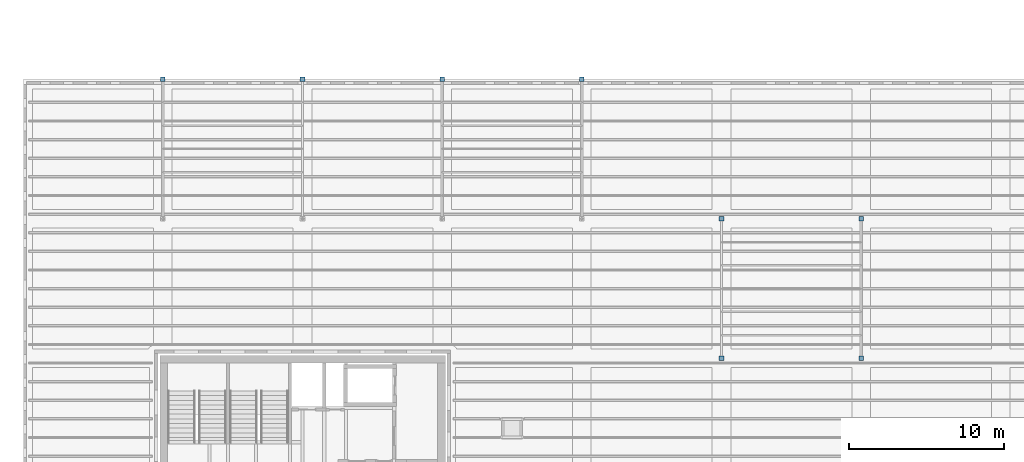
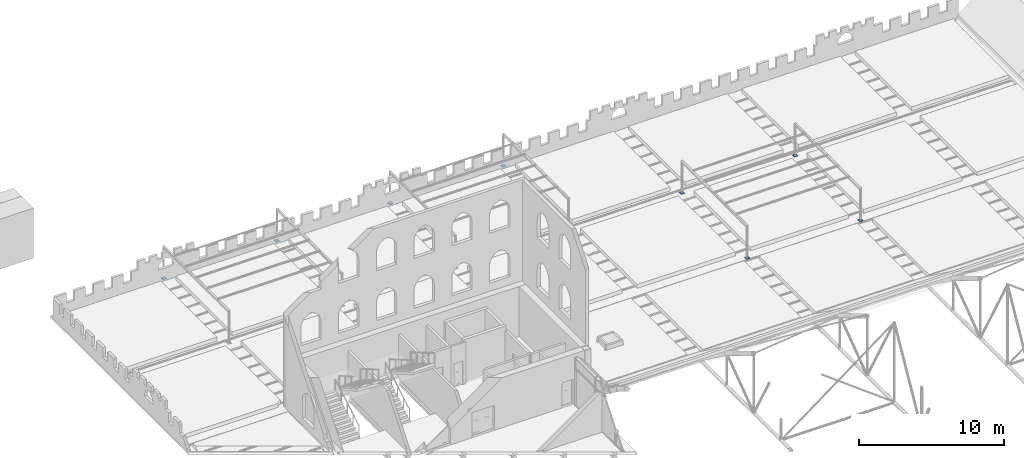
# One storey, part 124 of 153: 8 discrete accessories.
"""IFC4 building model written with IfcOpenShell, lengths in metres."""

from ifc_helpers import new_model, si_unit, direction, frame, origin, origin_2d, place, context, subcontext, project, spatial, rectangle, extrude, material, type_object, element, save


model = new_model("IFC4")

# Units and contexts
model_context = context("Model", 3, precision=1e-05, world=origin(), true_north=direction((0.0, 1.0)))
body_context = subcontext(model_context, "Body", "Model", "MODEL_VIEW")
ifc_project = project(units=[si_unit("LENGTHUNIT", "METRE"), si_unit("AREAUNIT", "SQUARE_METRE"), si_unit("VOLUMEUNIT", "CUBIC_METRE"), si_unit("PLANEANGLEUNIT", "RADIAN"), si_unit("MASSUNIT", "GRAM", prefix="KILO")], contexts=[model_context])

# Site, building, storey
site_placement = place(None, origin())
site = spatial("IfcSite", under=ifc_project, at=site_placement, CompositionType="ELEMENT")
building_placement = place(site_placement, origin())
building = spatial("IfcBuilding", under=site, at=building_placement, Name="Baradari Gate Terminus", CompositionType="ELEMENT")
storey_placement = place(building_placement, frame((0.0, 0.0, 11.699951171875)))
storey = spatial("IfcBuildingStorey", under=building, at=storey_placement, Name="L02", CompositionType="ELEMENT", Elevation=11.699951171875)

# Discrete accessories
ifc_material = material(Name="Steel S355", Category="steel")
discrete_accessory_type = type_object("IfcDiscreteAccessoryType", Name="Pergola base plate PGP-1 300x300x12", PredefinedType="BRACKET", material=ifc_material)
for number, where, z_axis, x_axis, name in (
    (1, (81.0, 108.0, 0.0), (0.0, 0.0, 1.0), (1.0, 0.0, 0.0), "Pergola base plate W1"),
    (2, (72.0, 108.0, 0.0), (0.0, 0.0, 1.0), (1.0, 0.0, 0.0), "Pergola base plate W1"),
    (3, (99.0, 108.0, 0.0), (0.0, 0.0, 1.0), (1.0, 0.0, 0.0), "Pergola base plate W2"),
    (4, (90.0, 108.0, 0.0), (0.0, 0.0, 1.0), (1.0, 0.0, 0.0), "Pergola base plate W2"),
    (5, (108.0, 90.0, 0.0), (0.0, 0.0, 1.0), (1.0, 0.0, 0.0), "Pergola base plate W3"),
    (6, (117.0, 90.0, 0.0), (0.0, 0.0, 1.0), (1.0, 0.0, 0.0), "Pergola base plate W3"),
    (7, (117.0, 99.0, 0.0), (0.0, 0.0, 1.0), (1.0, 0.0, 0.0), "Pergola base plate W3"),
    (8, (108.0, 99.0, 0.0), (0.0, 0.0, 1.0), (1.0, 0.0, 0.0), "Pergola base plate W3"),
):
    element("IfcDiscreteAccessory", number, at=place(storey_placement, frame(where, z_axis=z_axis, x_axis=x_axis)), inside=storey, type_object=discrete_accessory_type, Name=name, PredefinedType="BRACKET", context=body_context, shape_type="SweptSolid", body=[
        extrude(rectangle(XDim=0.300048828125, YDim=0.300048828125, at=origin_2d()), origin(), (0.0, 0.0, 1.0), 0.011962890625),
    ])

save(model, "model.ifc")
